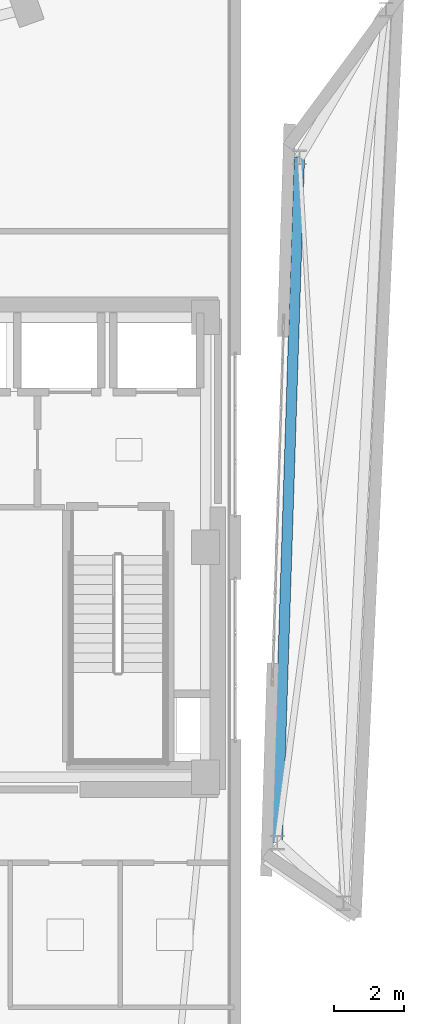
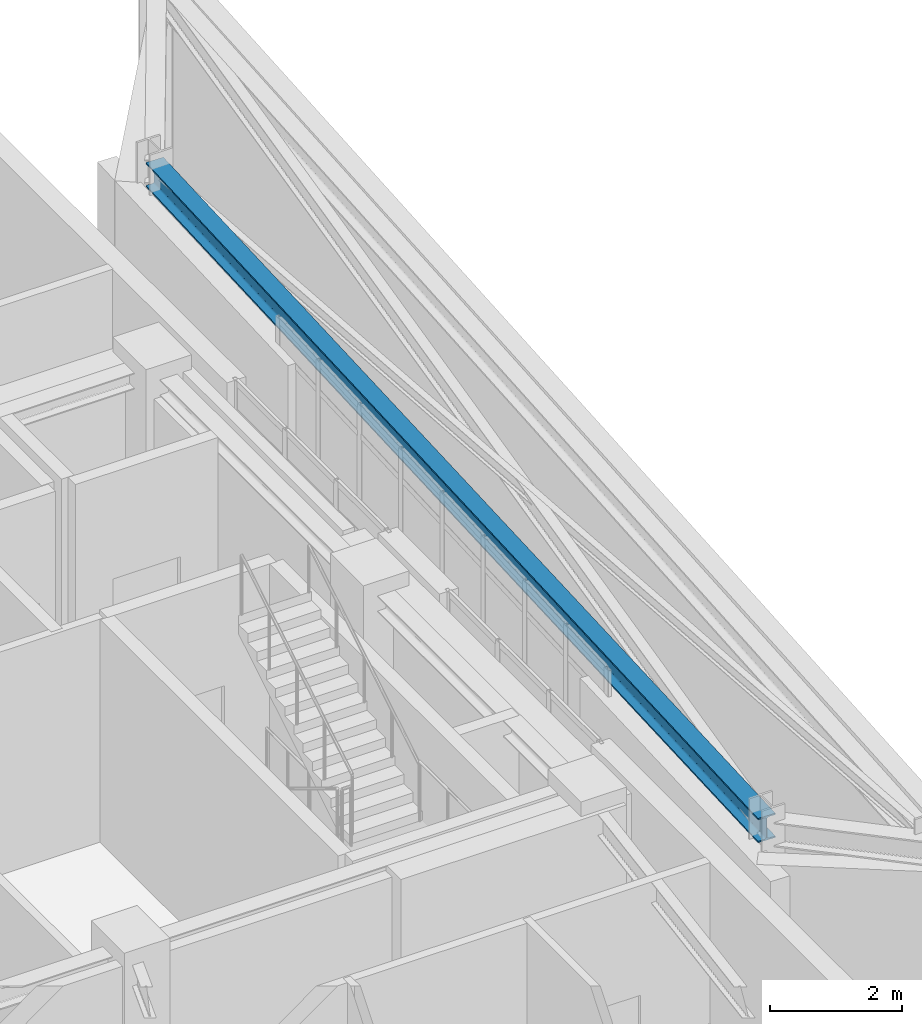
# One storey, part 8 of 19: 1 beam.
"""IFC4 building model written with IfcOpenShell, lengths in metres."""

from ifc_helpers import new_model, si_unit, direction, frame, origin, origin_2d, place, context, subcontext, project, spatial, i_section, extrude, material, material_profile, profile_set, type_object, element, save


model = new_model("IFC4")

# Units and contexts
model_context = context("Model", 3, precision=1e-05, world=origin(), true_north=direction((0.0, 1.0)))
body_context = subcontext(model_context, "Body", "Model", "MODEL_VIEW")
ifc_project = project(units=[si_unit("LENGTHUNIT", "METRE"), si_unit("AREAUNIT", "SQUARE_METRE"), si_unit("VOLUMEUNIT", "CUBIC_METRE"), si_unit("PLANEANGLEUNIT", "RADIAN"), si_unit("MASSUNIT", "GRAM", prefix="KILO")], contexts=[model_context])

# Site, building, storey
site_placement = place(None, origin())
site = spatial("IfcSite", under=ifc_project, at=site_placement, CompositionType="ELEMENT")
building_placement = place(site_placement, origin())
building = spatial("IfcBuilding", under=site, at=building_placement, Name="Ndelora Gate Hotel", CompositionType="ELEMENT")
storey_placement = place(building_placement, frame((0.0, 0.0, 294.800048828125)))
storey = spatial("IfcBuildingStorey", under=building, at=storey_placement, Name="L73", CompositionType="ELEMENT", Elevation=294.800048828125)

# Beam
ifc_material = material(Name="Steel S355", Category="steel")
ifc_material_profile = material_profile(ifc_material, i_section(OverallWidth=0.300048828125, OverallDepth=0.449951171875, WebThickness=0.013916015625, FlangeThickness=0.02587890625, FilletRadius=0.027099609375, at=origin_2d()), Name="HEB 450")
ifc_profile_set = profile_set([ifc_material_profile], Name="Steel S355")
beam_type = type_object("IfcBeamType", Name="BM-RING-450", PredefinedType="SPANDREL", material=ifc_profile_set)
beam_placement = place(storey_placement, frame((10.692138671875, 11.19091796875, 3.89501953125), z_axis=(-0.032242893106, -0.999480062755, 0.0), x_axis=(0.999480062755, -0.032242893106, 0.0)))
element("IfcBeam", 1, at=beam_placement, inside=storey, type_object=beam_type, Name="L73 structural beam RB-5", PredefinedType="SPANDREL", context=body_context, shape_type="SweptSolid", body=[
    extrude(i_section(OverallWidth=0.300048828125, OverallDepth=0.449951171875, WebThickness=0.013916015625, FlangeThickness=0.02587890625, FilletRadius=0.027099609375, at=origin_2d()), origin(), (0.0, 0.0, 1.0), 19.679443359375),
])

save(model, "model.ifc")
